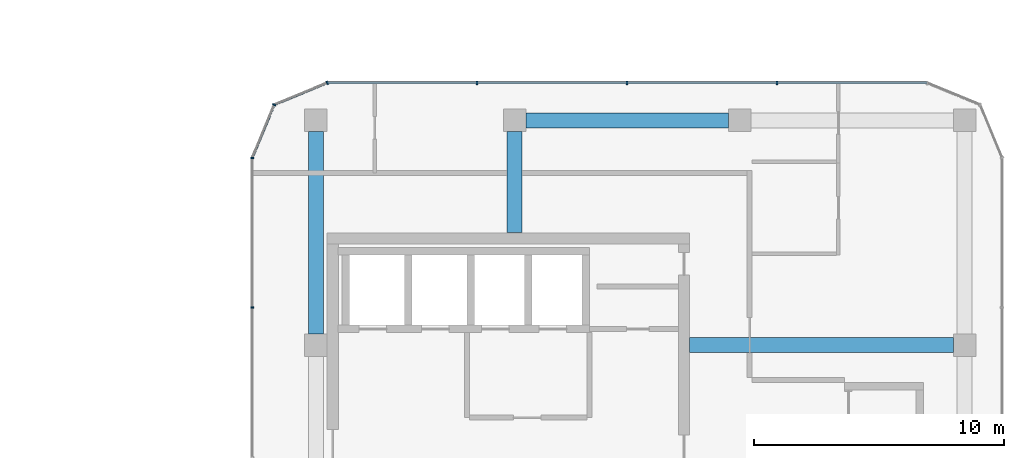
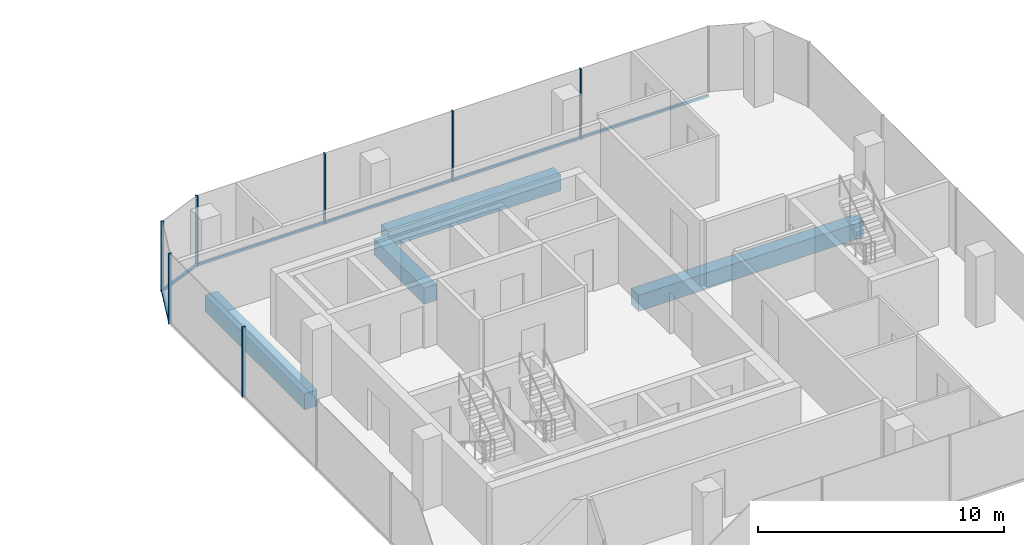
# One storey, part 9 of 23: 10 members, 4 beams, 4 elements without a shape of their own.
"""IFC4 building model written with IfcOpenShell, lengths in metres."""

from ifc_helpers import new_model, si_unit, direction, frame, origin, origin_2d, place, context, subcontext, project, spatial, rectangle, extrude, material, layer, layer_set, material_profile, profile_set, type_object, element, aggregate, save


model = new_model("IFC4")

# Units and contexts
model_context = context("Model", 3, precision=1e-05, world=origin(), true_north=direction((0.0, 1.0)))
body_context = subcontext(model_context, "Body", "Model", "MODEL_VIEW")
ifc_project = project(units=[si_unit("LENGTHUNIT", "METRE"), si_unit("AREAUNIT", "SQUARE_METRE"), si_unit("VOLUMEUNIT", "CUBIC_METRE"), si_unit("PLANEANGLEUNIT", "RADIAN"), si_unit("MASSUNIT", "GRAM", prefix="KILO")], contexts=[model_context])

# Site, building, storey
site_placement = place(None, origin())
site = spatial("IfcSite", under=ifc_project, at=site_placement, CompositionType="ELEMENT")
building_placement = place(site_placement, origin())
building = spatial("IfcBuilding", under=site, at=building_placement, Name="Plateau Cross Towers", CompositionType="ELEMENT")
storey_placement = place(building_placement, frame((0.0, 0.0, 85.300048828125)))
storey = spatial("IfcBuildingStorey", under=building, at=storey_placement, Name="L21", CompositionType="ELEMENT", Elevation=85.300048828125)

# Beams
ifc_material_1 = material(Name="Concrete C60/75", Category="concrete")
ifc_material_profile_1 = material_profile(ifc_material_1, rectangle(XDim=0.60009765625, YDim=0.800048828125, at=origin_2d()), Name="RC 600x800")
ifc_profile_set_1 = profile_set([ifc_material_profile_1], Name="Concrete C60/75")
beam_type_1 = type_object("IfcBeamType", Name="Core beam RC 600x800", PredefinedType="BEAM", material=ifc_profile_set_1)
beam_1_placement = place(storey_placement, frame((89.5, 13.5, -0.650146484375), z_axis=(1.0, 0.0, 0.0), x_axis=(0.0, 1.0, 0.0)))
element("IfcBeam", 1, at=beam_1_placement, inside=storey, type_object=beam_type_1, Name="B-CB03@L21", PredefinedType="BEAM", context=body_context, shape_type="SweptSolid", body=[
    extrude(rectangle(XDim=0.60009765625, YDim=0.800048828125, at=origin_2d()), origin(), (0.0, 0.0, 1.0), 10.550048828125),
])
beam_2_placement = place(storey_placement, frame((82.5, 18.0, -0.650146484375), z_axis=(0.0, 1.0, 0.0), x_axis=(-1.0, 0.0, 0.0)))
element("IfcBeam", 2, at=beam_2_placement, inside=storey, type_object=beam_type_1, Name="B-CB04@L21", PredefinedType="BEAM", context=body_context, shape_type="SweptSolid", body=[
    extrude(rectangle(XDim=0.60009765625, YDim=0.800048828125, at=origin_2d()), origin(), (0.0, 0.0, 1.0), 4.050048828125),
])

# Curtain wall, members
ifc_material_2 = material(Name="Dark low-iron glass", Category="glass")
ifc_layer = layer(ifc_material_2, 0.239990234375)
ifc_layer_set = layer_set([ifc_layer], Name="Dark low-iron glass")
curtain_wall_type = type_object("IfcCurtainWallType", Name="Curtain wall office unitised CW-F", PredefinedType="NOTDEFINED", material=ifc_layer_set)
curtain_wall_1_placement = place(storey_placement, origin())
curtain_wall_1 = element("IfcCurtainWall", 3, at=curtain_wall_1_placement, inside=storey, type_object=curtain_wall_type, Name="ENV/B/L21/B990_240", PredefinedType="NOTDEFINED")
ifc_material_3 = material(Name="Black anodised aluminium", Category="aluminium")
ifc_material_profile_2 = material_profile(ifc_material_3, rectangle(XDim=0.06005859375, YDim=0.139892578125, at=origin_2d()), Name="MULLION 60x140")
ifc_profile_set_2 = profile_set([ifc_material_profile_2], Name="Black anodised aluminium")
member_type_1 = type_object("IfcMemberType", Name="Mullion 60x140 office unitised", PredefinedType="MULLION", material=ifc_profile_set_2)
member_1_placement = place(storey_placement, frame((93.0, 24.0, -0.25), z_axis=(0.0, 0.0, 1.0), x_axis=(-1.0, 0.0, 0.0)))
member_1 = element("IfcMember", 4, at=member_1_placement, type_object=member_type_1, Name="CW-F mullion 2", PredefinedType="MULLION", context=body_context, shape_type="SweptSolid", body=[
    extrude(rectangle(XDim=0.06005859375, YDim=0.139892578125, at=origin_2d()), origin(), (0.0, 0.0, 1.0), 3.5),
])
member_2_placement = place(storey_placement, frame((87.0, 24.0, -0.25), z_axis=(0.0, 0.0, 1.0), x_axis=(-1.0, 0.0, 0.0)))
member_2 = element("IfcMember", 5, at=member_2_placement, type_object=member_type_1, Name="CW-F mullion 3", PredefinedType="MULLION", context=body_context, shape_type="SweptSolid", body=[
    extrude(rectangle(XDim=0.06005859375, YDim=0.139892578125, at=origin_2d()), origin(), (0.0, 0.0, 1.0), 3.5),
])
member_3_placement = place(storey_placement, frame((81.0, 24.0, -0.25), z_axis=(0.0, 0.0, 1.0), x_axis=(-1.0, 0.0, 0.0)))
member_3 = element("IfcMember", 6, at=member_3_placement, type_object=member_type_1, Name="CW-F mullion 4", PredefinedType="MULLION", context=body_context, shape_type="SweptSolid", body=[
    extrude(rectangle(XDim=0.06005859375, YDim=0.139892578125, at=origin_2d()), origin(), (0.0, 0.0, 1.0), 3.5),
])

# Curtain wall, member
curtain_wall_2_placement = place(storey_placement, origin())
curtain_wall_2 = element("IfcCurtainWall", 7, at=curtain_wall_2_placement, inside=storey, type_object=curtain_wall_type, Name="ENV/B/L21/B750_240", PredefinedType="NOTDEFINED")
member_4_placement = place(storey_placement, frame((75.0, 24.0, -0.25), z_axis=(0.0, 0.0, 1.0), x_axis=(-0.923879457699, -0.382683612978, 0.0)))
member_4 = element("IfcMember", 8, at=member_4_placement, type_object=member_type_1, Name="CW-F mullion 1", PredefinedType="MULLION", context=body_context, shape_type="SweptSolid", body=[
    extrude(rectangle(XDim=0.06005859375, YDim=0.139892578125, at=origin_2d()), origin(), (0.0, 0.0, 1.0), 3.5),
])

curtain_wall_3_placement = place(storey_placement, origin())
curtain_wall_3 = element("IfcCurtainWall", 9, at=curtain_wall_3_placement, inside=storey, type_object=curtain_wall_type, Name="ENV/B/L21/B729_231", PredefinedType="NOTDEFINED")
member_5_placement = place(storey_placement, frame((72.878662109375, 23.121337890625, -0.25), z_axis=(0.0, 0.0, 1.0), x_axis=(-0.382683612978, -0.923879457699, 0.0)))
member_5 = element("IfcMember", 10, at=member_5_placement, type_object=member_type_1, Name="CW-F mullion 1", PredefinedType="MULLION", context=body_context, shape_type="SweptSolid", body=[
    extrude(rectangle(XDim=0.06005859375, YDim=0.139892578125, at=origin_2d()), origin(), (0.0, 0.0, 1.0), 3.5),
])

# Curtain wall, members
curtain_wall_4_placement = place(storey_placement, origin())
curtain_wall_4 = element("IfcCurtainWall", 11, at=curtain_wall_4_placement, inside=storey, type_object=curtain_wall_type, Name="ENV/B/L21/B720_210", PredefinedType="NOTDEFINED")
member_6_placement = place(storey_placement, frame((72.0, 21.0, -0.25), z_axis=(0.0, 0.0, 1.0), x_axis=(0.0, -1.0, 0.0)))
member_6 = element("IfcMember", 12, at=member_6_placement, type_object=member_type_1, Name="CW-F mullion 1", PredefinedType="MULLION", context=body_context, shape_type="SweptSolid", body=[
    extrude(rectangle(XDim=0.06005859375, YDim=0.139892578125, at=origin_2d()), origin(), (0.0, 0.0, 1.0), 3.5),
])
member_7_placement = place(storey_placement, frame((72.0, 15.0, -0.25), z_axis=(0.0, 0.0, 1.0), x_axis=(0.0, -1.0, 0.0)))
member_7 = element("IfcMember", 13, at=member_7_placement, type_object=member_type_1, Name="CW-F mullion 2", PredefinedType="MULLION", context=body_context, shape_type="SweptSolid", body=[
    extrude(rectangle(XDim=0.06005859375, YDim=0.139892578125, at=origin_2d()), origin(), (0.0, 0.0, 1.0), 3.5),
])
aggregate(curtain_wall_4, [member_6, member_7])

# Beams
ifc_material_profile_3 = material_profile(ifc_material_1, rectangle(XDim=0.60009765625, YDim=0.800048828125, at=origin_2d()), Name="RC 600x800")
ifc_profile_set_3 = profile_set([ifc_material_profile_3], Name="Concrete C60/75")
beam_type_2 = type_object("IfcBeamType", Name="Ring beam RC 600x800", PredefinedType="BEAM", material=ifc_profile_set_3)
for number, where, z_axis, x_axis, name in (
    (14, (91.050048828125, 22.5, -0.650146484375), (-1.0, 0.0, 0.0), (0.0, -1.0, 0.0), "B-RB07@L21"),
    (15, (74.550048828125, 22.050048828125, -0.650146484375), (0.0, -1.0, 0.0), (1.0, 0.0, 0.0), "B-RB08@L21"),
):
    element("IfcBeam", number, at=place(storey_placement, frame(where, z_axis=z_axis, x_axis=x_axis)), inside=storey, type_object=beam_type_2, Name=name, PredefinedType="BEAM", context=body_context, shape_type="SweptSolid", body=[
        extrude(rectangle(XDim=0.60009765625, YDim=0.800048828125, at=origin_2d()), origin(), (0.0, 0.0, 1.0), 8.10009765625),
    ])

# Member
ifc_material_profile_4 = material_profile(ifc_material_3, rectangle(XDim=0.10009765625, YDim=0.1201171875, at=origin_2d()), Name="TRANSOM 100x120")
ifc_profile_set_4 = profile_set([ifc_material_profile_4], Name="Black anodised aluminium")
member_type_2 = type_object("IfcMemberType", Name="Transom 100x120 office unitised", PredefinedType="USERDEFINED", material=ifc_profile_set_4)
member_8_placement = place(storey_placement, frame((99.0, 24.0, -0.18994140625), z_axis=(-1.0, 0.0, 0.0), x_axis=(0.0, -1.0, 0.0)))
member_8 = element("IfcMember", 16, at=member_8_placement, type_object=member_type_2, Name="CW-F transom", ObjectType="TRANSOM", PredefinedType="USERDEFINED", context=body_context, shape_type="SweptSolid", body=[
    extrude(rectangle(XDim=0.10009765625, YDim=0.1201171875, at=origin_2d()), origin(), (0.0, 0.0, 1.0), 24.0),
])

aggregate(curtain_wall_1, [member_1, member_2, member_3, member_8])

member_9_placement = place(storey_placement, frame((75.0, 24.0, -0.18994140625), z_axis=(-0.923883353507, -0.382674207535, 0.0), x_axis=(0.382674207535, -0.923883353507, 0.0)))
member_9 = element("IfcMember", 17, at=member_9_placement, type_object=member_type_2, Name="CW-F transom", ObjectType="TRANSOM", PredefinedType="USERDEFINED", context=body_context, shape_type="SweptSolid", body=[
    extrude(rectangle(XDim=0.10009765625, YDim=0.1201171875, at=origin_2d()), origin(), (0.0, 0.0, 1.0), 2.296142578125),
])

aggregate(curtain_wall_2, [member_4, member_9])

member_10_placement = place(storey_placement, frame((72.878662109375, 23.121337890625, -0.18994140625), z_axis=(-0.382674207535, -0.923883353507, 0.0), x_axis=(0.923883353507, -0.382674207535, 0.0)))
member_10 = element("IfcMember", 18, at=member_10_placement, type_object=member_type_2, Name="CW-F transom", ObjectType="TRANSOM", PredefinedType="USERDEFINED", context=body_context, shape_type="SweptSolid", body=[
    extrude(rectangle(XDim=0.10009765625, YDim=0.1201171875, at=origin_2d()), origin(), (0.0, 0.0, 1.0), 2.296142578125),
])

aggregate(curtain_wall_3, [member_5, member_10])

save(model, "model.ifc")
